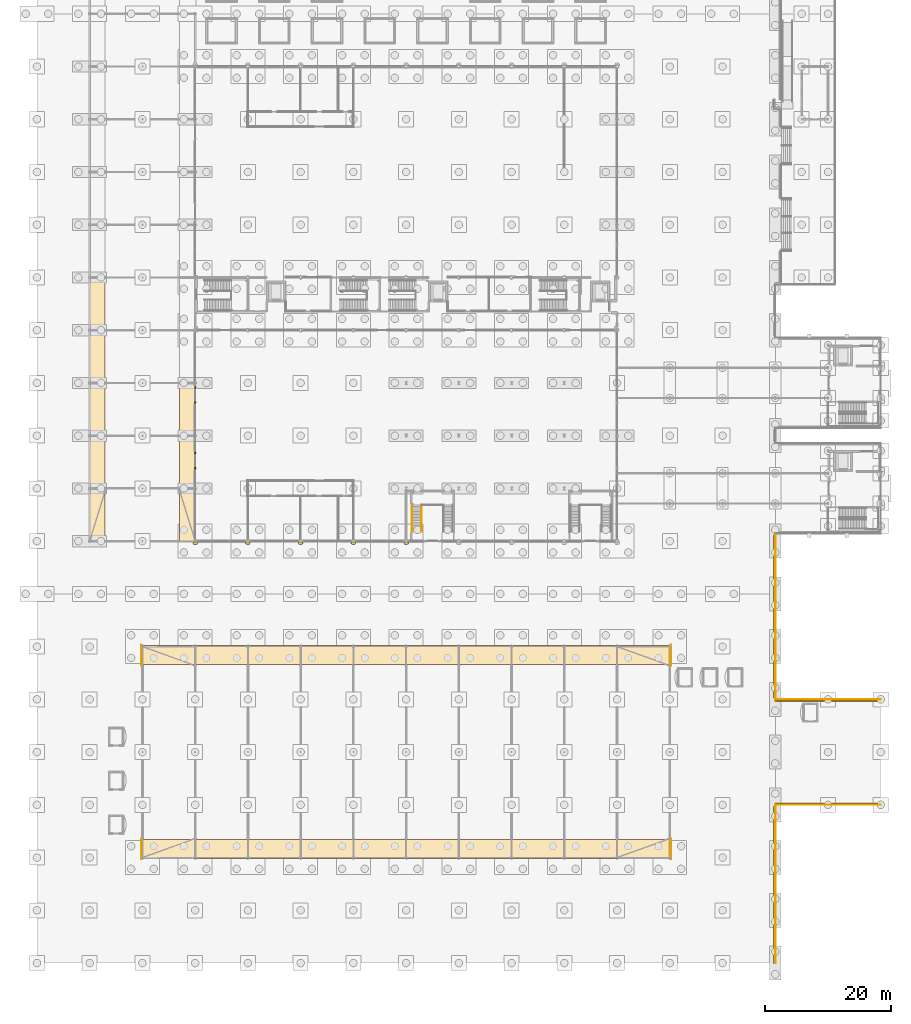
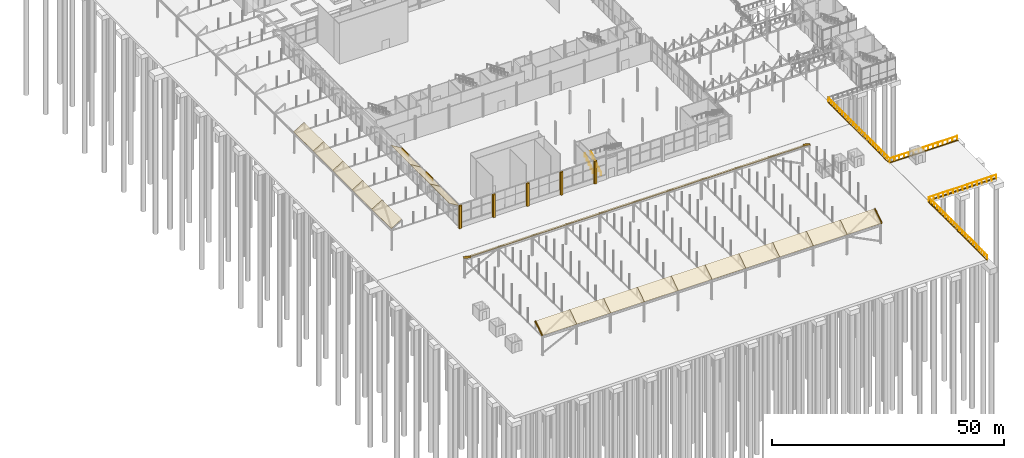
# One storey, part 194 of 212: 45 coverings, 6 railings.
"""IFC4 building model written with IfcOpenShell, lengths in metres."""

from ifc_helpers import new_model, si_unit, direction, frame, origin, origin_2d, place, context, subcontext, project, spatial, polyline, rectangle, circle, outline, extrude, material, layer, layer_set, type_object, element, save


model = new_model("IFC4")

# Units and contexts
model_context = context("Model", 3, precision=1e-05, world=origin(), true_north=direction((0.0, 1.0)))
body_context = subcontext(model_context, "Body", "Model", "MODEL_VIEW")
ifc_project = project(units=[si_unit("LENGTHUNIT", "METRE"), si_unit("AREAUNIT", "SQUARE_METRE"), si_unit("VOLUMEUNIT", "CUBIC_METRE"), si_unit("PLANEANGLEUNIT", "RADIAN"), si_unit("MASSUNIT", "GRAM", prefix="KILO")], contexts=[model_context])

# Site, building, storey
site_placement = place(None, origin())
site = spatial("IfcSite", under=ifc_project, at=site_placement, CompositionType="ELEMENT")
building_placement = place(site_placement, origin())
building = spatial("IfcBuilding", under=site, at=building_placement, Name="Catenary Quay Ferry Terminal", CompositionType="ELEMENT")
storey_placement = place(building_placement, origin())
storey = spatial("IfcBuildingStorey", under=building, at=storey_placement, Name="L00", CompositionType="ELEMENT", Elevation=0.0)

# Coverings
ifc_material_1 = material(Name="Pale glazed ceramic tile")
ifc_layer_1 = layer(ifc_material_1, 0.0400390625)
ifc_layer_set_1 = layer_set([ifc_layer_1], Name="AR1")
covering_type_1 = type_object("IfcCoveringType", Name="AR1", PredefinedType="CLADDING", material=ifc_layer_set_1)
covering_1_placement = place(storey_placement, frame((16.622314453125, 16.800048828125, 5.0), z_axis=(1.0, 0.0, 0.0), x_axis=(0.0, 0.831936388081, 0.554871017613)))
element("IfcCovering", 1, at=covering_1_placement, inside=storey, type_object=covering_type_1, Name="Archivolt band, canopy gable", PredefinedType="CLADDING", context=body_context, shape_type="SweptSolid", body=[
    extrude(outline(polyline([(0.0, 0.0), (3.627761027752788, 2.220446049250313e-16), (3.6551517905300117, 0.4999829425589075), (0.00010265555468169651, 0.4999885452388287), (0.0, 0.0)])), origin(), (0.0, 0.0, -1.0), 0.0400390625),
])
covering_2_placement = place(storey_placement, frame((16.622314453125, 47.382080078125, 7.012939453125), z_axis=(1.0, 0.0, 0.0), x_axis=(0.0, 0.831915666545, -0.554902084837)))
element("IfcCovering", 2, at=covering_2_placement, inside=storey, type_object=covering_type_1, Name="Archivolt band, canopy gable", PredefinedType="CLADDING", context=body_context, shape_type="SweptSolid", body=[
    extrude(outline(polyline([(0.0, 0.0), (3.627557920812455, -2.220446049250313e-16), (3.6276396982295283, 0.5001240151984621), (-0.02740943398799392, 0.49998191933692954), (0.0, 0.0)])), origin(), (0.0, 0.0, -1.0), 0.0400390625),
])
covering_3_placement = place(storey_placement, frame((100.977783203125, 16.522705078125, 5.416015625), z_axis=(-1.0, 0.0, 0.0), x_axis=(0.0, 0.83193723862, 0.55486974237)))
element("IfcCovering", 3, at=covering_3_placement, inside=storey, type_object=covering_type_1, Name="Archivolt band, canopy gable", PredefinedType="CLADDING", context=body_context, shape_type="SweptSolid", body=[
    extrude(outline(polyline([(0.0, 0.0), (3.655049134979624, -2.220446049250313e-16), (3.6276591386064645, 0.4999829845445345), (-0.0001018891420617174, 0.4999885453955979), (0.0, 0.0)])), origin(), (0.0, 0.0, -1.0), 0.0400390625),
])
covering_4_placement = place(storey_placement, frame((100.977783203125, 47.63671875, 7.444091796875), z_axis=(-1.0, 0.0, 0.0), x_axis=(0.0, 0.83193723862, -0.55486974237)))
element("IfcCovering", 4, at=covering_4_placement, inside=storey, type_object=covering_type_1, Name="Archivolt band, canopy gable", PredefinedType="CLADDING", context=body_context, shape_type="SweptSolid", body=[
    extrude(outline(polyline([(0.0, 0.0), (3.655049134979624, 2.220446049250313e-16), (3.6549479144442882, 0.5001240116412937), (0.027389996373159503, 0.4999829845445347), (0.0, 0.0)])), origin(), (0.0, 0.0, -1.0), 0.0400390625),
])
ifc_material_2 = material(Name="Ceramic tile")
ifc_layer_2 = layer(ifc_material_2, 0.0400390625)
ifc_layer_set_2 = layer_set([ifc_layer_2], Name="CL2")
covering_type_2 = type_object("IfcCoveringType", Name="CL2", PredefinedType="CLADDING", material=ifc_layer_set_2)
covering_5_placement = place(storey_placement, origin())
element("IfcCovering", 5, at=covering_5_placement, inside=storey, type_object=covering_type_2, Name="Ceramic pier casing", PredefinedType="CLADDING", context=body_context, shape_type="SweptSolid", body=[
    extrude(outline(polyline([(24.845947265625, 67.0458984375), (24.845947265625, 66.76611328125), (24.946044921875, 66.76611328125), (24.946044921875, 66.64599609375), (25.4541015625, 66.64599609375), (25.4541015625, 66.76611328125), (25.553955078125, 66.76611328125), (25.553955078125, 67.0458984375), (24.845947265625, 67.0458984375)])), origin(), (0.0, 0.0, 1.0), 6.0),
])
covering_6_placement = place(storey_placement, origin())
element("IfcCovering", 6, at=covering_6_placement, inside=storey, type_object=covering_type_2, Name="Ceramic pier casing", PredefinedType="CLADDING", context=body_context, shape_type="SweptSolid", body=[
    extrude(outline(polyline([(33.24609375, 67.0458984375), (33.24609375, 66.76611328125), (33.345947265625, 66.76611328125), (33.345947265625, 66.64599609375), (33.85400390625, 66.64599609375), (33.85400390625, 66.76611328125), (33.9541015625, 66.76611328125), (33.9541015625, 67.0458984375), (33.24609375, 67.0458984375)])), origin(), (0.0, 0.0, 1.0), 6.0),
])
covering_7_placement = place(storey_placement, origin())
element("IfcCovering", 7, at=covering_7_placement, inside=storey, type_object=covering_type_2, Name="Ceramic pier casing", PredefinedType="CLADDING", context=body_context, shape_type="SweptSolid", body=[
    extrude(outline(polyline([(41.64599609375, 67.0458984375), (41.64599609375, 66.76611328125), (41.74609375, 66.76611328125), (41.74609375, 66.64599609375), (42.25390625, 66.64599609375), (42.25390625, 66.76611328125), (42.35400390625, 66.76611328125), (42.35400390625, 67.0458984375), (41.64599609375, 67.0458984375)])), origin(), (0.0, 0.0, 1.0), 6.0),
])
covering_8_placement = place(storey_placement, origin())
element("IfcCovering", 8, at=covering_8_placement, inside=storey, type_object=covering_type_2, Name="Ceramic pier casing", PredefinedType="CLADDING", context=body_context, shape_type="SweptSolid", body=[
    extrude(outline(polyline([(50.0458984375, 67.0458984375), (50.0458984375, 66.76611328125), (50.14599609375, 66.76611328125), (50.14599609375, 66.64599609375), (50.654052734375, 66.64599609375), (50.654052734375, 66.76611328125), (50.75390625, 66.76611328125), (50.75390625, 67.0458984375), (50.0458984375, 67.0458984375)])), origin(), (0.0, 0.0, 1.0), 6.0),
])
covering_9_placement = place(storey_placement, origin())
element("IfcCovering", 9, at=covering_9_placement, inside=storey, type_object=covering_type_2, Name="Ceramic pier casing", PredefinedType="CLADDING", context=body_context, shape_type="SweptSolid", body=[
    extrude(outline(polyline([(58.446044921875, 67.0458984375), (58.446044921875, 66.76611328125), (58.5458984375, 66.76611328125), (58.5458984375, 66.64599609375), (59.053955078125, 66.64599609375), (59.053955078125, 66.76611328125), (59.154052734375, 66.76611328125), (59.154052734375, 67.0458984375), (58.446044921875, 67.0458984375)])), origin(), (0.0, 0.0, 1.0), 6.0),
])
ifc_material_3 = material(Name="Ceramic tile")
ifc_layer_3 = layer(ifc_material_3, 0.034912109375)
ifc_layer_set_3 = layer_set([ifc_layer_3], Name="CL5")
covering_type_3 = type_object("IfcCoveringType", Name="CL5", PredefinedType="CLADDING", material=ifc_layer_set_3)
for number, where, z_axis, x_axis, name in (
    (10, (25.199951171875, 80.0, 5.32666015625), (0.0, 0.0, 1.0), (1.0, 0.0, 0.0), "Slot gable arrivals hall cladding CL5"),
    (11, (25.199951171875, 90.449951171875, 5.32666015625), (0.0, 0.0, 1.0), (1.0, 0.0, 0.0), "Slot gable arrivals hall cladding CL5"),
):
    element("IfcCovering", number, at=place(storey_placement, frame(where, z_axis=z_axis, x_axis=x_axis)), inside=storey, type_object=covering_type_3, Name=name, PredefinedType="CLADDING", context=body_context, shape_type="SweptSolid", body=[
        extrude(rectangle(XDim=0.199951171875, YDim=3.110107421875, at=origin_2d()), origin(), (0.0, 0.0, 1.0), 0.67333984375),
    ])

# Railings
ifc_material_4 = material(Name="Galvanised steel", Category="steel")
railing_type_1 = type_object("IfcRailingType", Name="GQ1", PredefinedType="GUARDRAIL", material=ifc_material_4)
railing_1_placement = place(storey_placement, frame((117.60009765625, 0.0, 0.0)))
element("IfcRailing", 12, at=railing_1_placement, inside=storey, type_object=railing_type_1, Name="RIVER EDGE OF THE QUAY DECK", PredefinedType="GUARDRAIL", context=body_context, shape_type="SweptSolid", body=[
    extrude(circle(Radius=0.02392578125, at=origin_2d()), frame((0.0, 0.0, 1.076171875), z_axis=(0.0, 1.0, 0.0), x_axis=(-1.0, 0.0, 0.0)), (0.0, 0.0, 1.0), 25.199951171875),
    extrude(circle(Radius=0.02099609375, at=origin_2d()), origin(), (0.0, 0.0, 1.0), 1.052001953125),
    extrude(circle(Radius=0.02099609375, at=origin_2d()), frame((0.0, 1.199951171875, 0.0)), (0.0, 0.0, 1.0), 1.052001953125),
    extrude(circle(Radius=0.02099609375, at=origin_2d()), frame((0.0, 2.39990234375, 0.0)), (0.0, 0.0, 1.0), 1.052001953125),
    extrude(circle(Radius=0.02099609375, at=origin_2d()), frame((0.0, 3.60009765625, 0.0)), (0.0, 0.0, 1.0), 1.052001953125),
    extrude(circle(Radius=0.02099609375, at=origin_2d()), frame((0.0, 4.800048828125, 0.0)), (0.0, 0.0, 1.0), 1.052001953125),
    extrude(circle(Radius=0.02099609375, at=origin_2d()), frame((0.0, 6.0, 0.0)), (0.0, 0.0, 1.0), 1.052001953125),
    extrude(circle(Radius=0.02099609375, at=origin_2d()), frame((0.0, 7.199951171875, 0.0)), (0.0, 0.0, 1.0), 1.052001953125),
    extrude(circle(Radius=0.02099609375, at=origin_2d()), frame((0.0, 8.39990234375, 0.0)), (0.0, 0.0, 1.0), 1.052001953125),
    extrude(circle(Radius=0.02099609375, at=origin_2d()), frame((0.0, 9.60009765625, 0.0)), (0.0, 0.0, 1.0), 1.052001953125),
    extrude(circle(Radius=0.02099609375, at=origin_2d()), frame((0.0, 10.800048828125, 0.0)), (0.0, 0.0, 1.0), 1.052001953125),
    extrude(circle(Radius=0.02099609375, at=origin_2d()), frame((0.0, 12.0, 0.0)), (0.0, 0.0, 1.0), 1.052001953125),
    extrude(circle(Radius=0.02099609375, at=origin_2d()), frame((0.0, 13.199951171875, 0.0)), (0.0, 0.0, 1.0), 1.052001953125),
    extrude(circle(Radius=0.02099609375, at=origin_2d()), frame((0.0, 14.39990234375, 0.0)), (0.0, 0.0, 1.0), 1.052001953125),
    extrude(circle(Radius=0.02099609375, at=origin_2d()), frame((0.0, 15.599853515625, 0.0)), (0.0, 0.0, 1.0), 1.052001953125),
    extrude(circle(Radius=0.02099609375, at=origin_2d()), frame((0.0, 16.800048828125, 0.0)), (0.0, 0.0, 1.0), 1.052001953125),
    extrude(circle(Radius=0.02099609375, at=origin_2d()), frame((0.0, 18.0, 0.0)), (0.0, 0.0, 1.0), 1.052001953125),
    extrude(circle(Radius=0.02099609375, at=origin_2d()), frame((0.0, 19.199951171875, 0.0)), (0.0, 0.0, 1.0), 1.052001953125),
    extrude(circle(Radius=0.02099609375, at=origin_2d()), frame((0.0, 20.39990234375, 0.0)), (0.0, 0.0, 1.0), 1.052001953125),
    extrude(circle(Radius=0.02099609375, at=origin_2d()), frame((0.0, 21.599853515625, 0.0)), (0.0, 0.0, 1.0), 1.052001953125),
    extrude(circle(Radius=0.02099609375, at=origin_2d()), frame((0.0, 22.800048828125, 0.0)), (0.0, 0.0, 1.0), 1.052001953125),
    extrude(circle(Radius=0.02099609375, at=origin_2d()), frame((0.0, 24.0, 0.0)), (0.0, 0.0, 1.0), 1.052001953125),
    extrude(circle(Radius=0.02099609375, at=origin_2d()), frame((0.0, 25.199951171875, 0.0)), (0.0, 0.0, 1.0), 1.052001953125),
])
railing_2_placement = place(storey_placement, frame((117.60009765625, 42.0, 0.0)))
element("IfcRailing", 13, at=railing_2_placement, inside=storey, type_object=railing_type_1, Name="RIVER EDGE OF THE QUAY DECK", PredefinedType="GUARDRAIL", context=body_context, shape_type="SweptSolid", body=[
    extrude(circle(Radius=0.02392578125, at=origin_2d()), frame((0.0, 0.0, 1.076171875), z_axis=(0.0, 1.0, 0.0), x_axis=(-1.0, 0.0, 0.0)), (0.0, 0.0, 1.0), 26.39990234375),
    extrude(circle(Radius=0.02099609375, at=origin_2d()), origin(), (0.0, 0.0, 1.0), 1.052001953125),
    extrude(circle(Radius=0.02099609375, at=origin_2d()), frame((0.0, 1.199951171875, 0.0)), (0.0, 0.0, 1.0), 1.052001953125),
    extrude(circle(Radius=0.02099609375, at=origin_2d()), frame((0.0, 2.39990234375, 0.0)), (0.0, 0.0, 1.0), 1.052001953125),
    extrude(circle(Radius=0.02099609375, at=origin_2d()), frame((0.0, 3.60009765625, 0.0)), (0.0, 0.0, 1.0), 1.052001953125),
    extrude(circle(Radius=0.02099609375, at=origin_2d()), frame((0.0, 4.800048828125, 0.0)), (0.0, 0.0, 1.0), 1.052001953125),
    extrude(circle(Radius=0.02099609375, at=origin_2d()), frame((0.0, 6.0, 0.0)), (0.0, 0.0, 1.0), 1.052001953125),
    extrude(circle(Radius=0.02099609375, at=origin_2d()), frame((0.0, 7.199951171875, 0.0)), (0.0, 0.0, 1.0), 1.052001953125),
    extrude(circle(Radius=0.02099609375, at=origin_2d()), frame((0.0, 8.39990234375, 0.0)), (0.0, 0.0, 1.0), 1.052001953125),
    extrude(circle(Radius=0.02099609375, at=origin_2d()), frame((0.0, 9.599853515625, 0.0)), (0.0, 0.0, 1.0), 1.052001953125),
    extrude(circle(Radius=0.02099609375, at=origin_2d()), frame((0.0, 10.800048828125, 0.0)), (0.0, 0.0, 1.0), 1.052001953125),
    extrude(circle(Radius=0.02099609375, at=origin_2d()), frame((0.0, 12.0, 0.0)), (0.0, 0.0, 1.0), 1.052001953125),
    extrude(circle(Radius=0.02099609375, at=origin_2d()), frame((0.0, 13.199951171875, 0.0)), (0.0, 0.0, 1.0), 1.052001953125),
    extrude(circle(Radius=0.02099609375, at=origin_2d()), frame((0.0, 14.39990234375, 0.0)), (0.0, 0.0, 1.0), 1.052001953125),
    extrude(circle(Radius=0.02099609375, at=origin_2d()), frame((0.0, 15.599853515625, 0.0)), (0.0, 0.0, 1.0), 1.052001953125),
    extrude(circle(Radius=0.02099609375, at=origin_2d()), frame((0.0, 16.800048828125, 0.0)), (0.0, 0.0, 1.0), 1.052001953125),
    extrude(circle(Radius=0.02099609375, at=origin_2d()), frame((0.0, 18.0, 0.0)), (0.0, 0.0, 1.0), 1.052001953125),
    extrude(circle(Radius=0.02099609375, at=origin_2d()), frame((0.0, 19.199951171875, 0.0)), (0.0, 0.0, 1.0), 1.052001953125),
    extrude(circle(Radius=0.02099609375, at=origin_2d()), frame((0.0, 20.39990234375, 0.0)), (0.0, 0.0, 1.0), 1.052001953125),
    extrude(circle(Radius=0.02099609375, at=origin_2d()), frame((0.0, 21.599853515625, 0.0)), (0.0, 0.0, 1.0), 1.052001953125),
    extrude(circle(Radius=0.02099609375, at=origin_2d()), frame((0.0, 22.7998046875, 0.0)), (0.0, 0.0, 1.0), 1.052001953125),
    extrude(circle(Radius=0.02099609375, at=origin_2d()), frame((0.0, 24.0, 0.0)), (0.0, 0.0, 1.0), 1.052001953125),
    extrude(circle(Radius=0.02099609375, at=origin_2d()), frame((0.0, 25.199951171875, 0.0)), (0.0, 0.0, 1.0), 1.052001953125),
    extrude(circle(Radius=0.02099609375, at=origin_2d()), frame((0.0, 26.39990234375, 0.0)), (0.0, 0.0, 1.0), 1.052001953125),
])
railing_3_placement = place(storey_placement, frame((117.60009765625, 42.0, 0.0)))
element("IfcRailing", 14, at=railing_3_placement, inside=storey, type_object=railing_type_1, Name="NORTH EDGE OF THE RO-RO HEAD", PredefinedType="GUARDRAIL", context=body_context, shape_type="SweptSolid", body=[
    extrude(circle(Radius=0.02392578125, at=origin_2d()), frame((0.0, 0.0, 1.076171875), z_axis=(1.0, 0.0, 0.0), x_axis=(0.0, 1.0, 0.0)), (0.0, 0.0, 1.0), 16.7998046875),
    extrude(circle(Radius=0.02099609375, at=origin_2d()), origin(), (0.0, 0.0, 1.0), 1.052001953125),
    extrude(circle(Radius=0.02099609375, at=origin_2d()), frame((1.199951171875, 0.0, 0.0)), (0.0, 0.0, 1.0), 1.052001953125),
    extrude(circle(Radius=0.02099609375, at=origin_2d()), frame((2.39990234375, 0.0, 0.0)), (0.0, 0.0, 1.0), 1.052001953125),
    extrude(circle(Radius=0.02099609375, at=origin_2d()), frame((3.599853515625, 0.0, 0.0)), (0.0, 0.0, 1.0), 1.052001953125),
    extrude(circle(Radius=0.02099609375, at=origin_2d()), frame((4.800048828125, 0.0, 0.0)), (0.0, 0.0, 1.0), 1.052001953125),
    extrude(circle(Radius=0.02099609375, at=origin_2d()), frame((6.0, 0.0, 0.0)), (0.0, 0.0, 1.0), 1.052001953125),
    extrude(circle(Radius=0.02099609375, at=origin_2d()), frame((7.199951171875, 0.0, 0.0)), (0.0, 0.0, 1.0), 1.052001953125),
    extrude(circle(Radius=0.02099609375, at=origin_2d()), frame((8.39990234375, 0.0, 0.0)), (0.0, 0.0, 1.0), 1.052001953125),
    extrude(circle(Radius=0.02099609375, at=origin_2d()), frame((9.599853515625, 0.0, 0.0)), (0.0, 0.0, 1.0), 1.052001953125),
    extrude(circle(Radius=0.02099609375, at=origin_2d()), frame((10.7998046875, 0.0, 0.0)), (0.0, 0.0, 1.0), 1.052001953125),
    extrude(circle(Radius=0.02099609375, at=origin_2d()), frame((11.999755859375, 0.0, 0.0)), (0.0, 0.0, 1.0), 1.052001953125),
    extrude(circle(Radius=0.02099609375, at=origin_2d()), frame((13.199951171875, 0.0, 0.0)), (0.0, 0.0, 1.0), 1.052001953125),
    extrude(circle(Radius=0.02099609375, at=origin_2d()), frame((14.39990234375, 0.0, 0.0)), (0.0, 0.0, 1.0), 1.052001953125),
    extrude(circle(Radius=0.02099609375, at=origin_2d()), frame((15.599853515625, 0.0, 0.0)), (0.0, 0.0, 1.0), 1.052001953125),
    extrude(circle(Radius=0.02099609375, at=origin_2d()), frame((16.7998046875, 0.0, 0.0)), (0.0, 0.0, 1.0), 1.052001953125),
])
railing_4_placement = place(storey_placement, frame((117.60009765625, 25.199951171875, 0.0)))
element("IfcRailing", 15, at=railing_4_placement, inside=storey, type_object=railing_type_1, Name="SOUTH EDGE OF THE RO-RO HEAD", PredefinedType="GUARDRAIL", context=body_context, shape_type="SweptSolid", body=[
    extrude(circle(Radius=0.02392578125, at=origin_2d()), frame((0.0, 0.0, 1.076171875), z_axis=(1.0, 0.0, 0.0), x_axis=(0.0, 1.0, 0.0)), (0.0, 0.0, 1.0), 16.7998046875),
    extrude(circle(Radius=0.02099609375, at=origin_2d()), origin(), (0.0, 0.0, 1.0), 1.052001953125),
    extrude(circle(Radius=0.02099609375, at=origin_2d()), frame((1.199951171875, 0.0, 0.0)), (0.0, 0.0, 1.0), 1.052001953125),
    extrude(circle(Radius=0.02099609375, at=origin_2d()), frame((2.39990234375, 0.0, 0.0)), (0.0, 0.0, 1.0), 1.052001953125),
    extrude(circle(Radius=0.02099609375, at=origin_2d()), frame((3.599853515625, 0.0, 0.0)), (0.0, 0.0, 1.0), 1.052001953125),
    extrude(circle(Radius=0.02099609375, at=origin_2d()), frame((4.800048828125, 0.0, 0.0)), (0.0, 0.0, 1.0), 1.052001953125),
    extrude(circle(Radius=0.02099609375, at=origin_2d()), frame((6.0, 0.0, 0.0)), (0.0, 0.0, 1.0), 1.052001953125),
    extrude(circle(Radius=0.02099609375, at=origin_2d()), frame((7.199951171875, 0.0, 0.0)), (0.0, 0.0, 1.0), 1.052001953125),
    extrude(circle(Radius=0.02099609375, at=origin_2d()), frame((8.39990234375, 0.0, 0.0)), (0.0, 0.0, 1.0), 1.052001953125),
    extrude(circle(Radius=0.02099609375, at=origin_2d()), frame((9.599853515625, 0.0, 0.0)), (0.0, 0.0, 1.0), 1.052001953125),
    extrude(circle(Radius=0.02099609375, at=origin_2d()), frame((10.7998046875, 0.0, 0.0)), (0.0, 0.0, 1.0), 1.052001953125),
    extrude(circle(Radius=0.02099609375, at=origin_2d()), frame((11.999755859375, 0.0, 0.0)), (0.0, 0.0, 1.0), 1.052001953125),
    extrude(circle(Radius=0.02099609375, at=origin_2d()), frame((13.199951171875, 0.0, 0.0)), (0.0, 0.0, 1.0), 1.052001953125),
    extrude(circle(Radius=0.02099609375, at=origin_2d()), frame((14.39990234375, 0.0, 0.0)), (0.0, 0.0, 1.0), 1.052001953125),
    extrude(circle(Radius=0.02099609375, at=origin_2d()), frame((15.599853515625, 0.0, 0.0)), (0.0, 0.0, 1.0), 1.052001953125),
    extrude(circle(Radius=0.02099609375, at=origin_2d()), frame((16.7998046875, 0.0, 0.0)), (0.0, 0.0, 1.0), 1.052001953125),
])
ifc_material_5 = material(Name="Stainless steel", Category="steel")
railing_type_2 = type_object("IfcRailingType", Name="HR1", PredefinedType="HANDRAIL", material=ifc_material_5)
for number, where, name in (
    (16, (59.760009765625, 68.699951171875, 0.166748046875), "TS6 F1A handrail HR325"),
    (17, (61.239990234375, 68.699951171875, 0.166748046875), "TS6 F1B handrail HR326"),
):
    element("IfcRailing", number, at=place(storey_placement, frame(where)), inside=storey, type_object=railing_type_2, Name=name, PredefinedType="HANDRAIL", context=body_context, shape_type="SweptSolid", body=[
        extrude(circle(Radius=0.02392578125, at=origin_2d()), frame((0.0, 0.0, 0.8759765625), z_axis=(0.0, 0.832057647715, 0.554689166001), x_axis=(-1.0, 0.0, 0.0)), (0.0, 0.0, 1.0), 5.10791015625),
        extrude(circle(Radius=0.02099609375, at=origin_2d()), origin(), (0.0, 0.0, 1.0), 0.851806640625),
        extrude(circle(Radius=0.02099609375, at=origin_2d()), frame((0.0, 0.85009765625, 0.566650390625)), (0.0, 0.0, 1.0), 0.851806640625),
        extrude(circle(Radius=0.02099609375, at=origin_2d()), frame((0.0, 1.699951171875, 1.13330078125)), (0.0, 0.0, 1.0), 0.851806640625),
        extrude(circle(Radius=0.02099609375, at=origin_2d()), frame((0.0, 2.550048828125, 1.699951171875)), (0.0, 0.0, 1.0), 0.851806640625),
        extrude(circle(Radius=0.02099609375, at=origin_2d()), frame((0.0, 3.39990234375, 2.2666015625)), (0.0, 0.0, 1.0), 0.851806640625),
        extrude(circle(Radius=0.02099609375, at=origin_2d()), frame((0.0, 4.25, 2.833251953125)), (0.0, 0.0, 1.0), 0.851806640625),
    ])

# Coverings
ifc_material_6 = material(Name="Precast concrete C35/45", Category="concrete")
ifc_layer_4 = layer(ifc_material_6, 0.14990234375)
ifc_layer_set_4 = layer_set([ifc_layer_4], Name="KB1")
covering_type_4 = type_object("IfcCoveringType", Name="KB1", PredefinedType="FLOORING", material=ifc_layer_set_4)
covering_10_placement = place(storey_placement, frame((117.429931640625, 12.4599609375, 0.0), z_axis=(0.0, 0.0, 1.0), x_axis=(1.0, 0.0, 0.0)))
element("IfcCovering", 18, at=covering_10_placement, inside=storey, type_object=covering_type_4, Name="Edge kerb upstand", PredefinedType="FLOORING", context=body_context, shape_type="SweptSolid", body=[
    extrude(rectangle(XDim=0.219970703125, YDim=24.919921875, at=origin_2d()), origin(), (0.0, 0.0, 1.0), 0.14990234375),
])
covering_11_placement = place(storey_placement, frame((117.429931640625, 55.199951171875, 0.0), z_axis=(0.0, 0.0, 1.0), x_axis=(1.0, 0.0, 0.0)))
element("IfcCovering", 19, at=covering_11_placement, inside=storey, type_object=covering_type_4, Name="Edge kerb upstand", PredefinedType="FLOORING", context=body_context, shape_type="SweptSolid", body=[
    extrude(rectangle(XDim=0.219970703125, YDim=25.840087890625, at=origin_2d()), origin(), (0.0, 0.0, 1.0), 0.14990234375),
])
for number, where, z_axis, x_axis, name in (
    (20, (126.0, 41.830078125, 0.0), (0.0, 0.0, 1.0), (1.0, 0.0, 0.0), "Edge kerb upstand"),
    (21, (126.0, 25.3701171875, 0.0), (0.0, 0.0, 1.0), (1.0, 0.0, 0.0), "Edge kerb upstand"),
):
    element("IfcCovering", number, at=place(storey_placement, frame(where, z_axis=z_axis, x_axis=x_axis)), inside=storey, type_object=covering_type_4, Name=name, PredefinedType="FLOORING", context=body_context, shape_type="SweptSolid", body=[
        extrude(rectangle(XDim=16.800048828125, YDim=0.219970703125, at=origin_2d()), origin(), (0.0, 0.0, 1.0), 0.14990234375),
    ])
ifc_material_7 = material(Name="Precast concrete C35/45", Category="concrete")
ifc_layer_5 = layer(ifc_material_7, 0.0400390625)
ifc_layer_set_5 = layer_set([ifc_layer_5], Name="QF1")
covering_type_5 = type_object("IfcCoveringType", Name="QF1", PredefinedType="CLADDING", material=ifc_layer_set_5)
covering_12_placement = place(storey_placement, frame((117.6201171875, 12.60009765625, -0.5498046875), z_axis=(0.0, 0.0, 1.0), x_axis=(1.0, 0.0, 0.0)))
element("IfcCovering", 22, at=covering_12_placement, inside=storey, type_object=covering_type_5, Name="Precast fascia, quay deck edge", PredefinedType="CLADDING", context=body_context, shape_type="SweptSolid", body=[
    extrude(rectangle(XDim=0.0400390625, YDim=25.199951171875, at=origin_2d()), origin(), (0.0, 0.0, 1.0), 0.550048828125),
])
covering_13_placement = place(storey_placement, frame((117.6201171875, 55.199951171875, -0.5498046875), z_axis=(0.0, 0.0, 1.0), x_axis=(1.0, 0.0, 0.0)))
element("IfcCovering", 23, at=covering_13_placement, inside=storey, type_object=covering_type_5, Name="Precast fascia, quay deck edge", PredefinedType="CLADDING", context=body_context, shape_type="SweptSolid", body=[
    extrude(rectangle(XDim=0.0400390625, YDim=26.39990234375, at=origin_2d()), origin(), (0.0, 0.0, 1.0), 0.550048828125),
])
ifc_material_8 = material(Name="Laminated glass", Category="glass")
ifc_layer_6 = layer(ifc_material_8, 0.030029296875)
ifc_layer_set_6 = layer_set([ifc_layer_6], Name="RF2")
covering_type_6 = type_object("IfcCoveringType", Name="RF2", PredefinedType="ROOFING", material=ifc_layer_set_6)
for number, where, z_axis, x_axis, name in (
    (24, (16.800048828125, 16.634765625, 5.247802734375), (0.0, -0.554885718127, 0.83192658319), (1.0, 0.0, 0.0), "Vehicle Deck canopy roof"),
    (25, (16.800048828125, 47.53369140625, 7.269775390625), (0.0, 0.554885718127, 0.83192658319), (1.0, 0.0, 0.0), "Vehicle Deck canopy roof"),
):
    element("IfcCovering", number, at=place(storey_placement, frame(where, z_axis=z_axis, x_axis=x_axis)), inside=storey, type_object=covering_type_6, Name=name, PredefinedType="ROOFING", context=body_context, shape_type="SweptSolid", body=[
        extrude(outline(polyline([(0.0, 0.0), (8.39990234375, 0.0), (8.39990234375, 3.643944311768003), (0.0, 3.643944311768003), (0.0, 0.0)])), origin(), (0.0, 0.0, -1.0), 0.0361328125),
    ])
for number, where, z_axis, x_axis, name in (
    (26, (25.199951171875, 16.634765625, 5.247802734375), (0.0, -0.554885718127, 0.83192658319), (1.0, 0.0, 0.0), "Vehicle Deck canopy roof"),
    (27, (25.199951171875, 47.53369140625, 7.269775390625), (0.0, 0.554885718127, 0.83192658319), (1.0, 0.0, 0.0), "Vehicle Deck canopy roof"),
):
    element("IfcCovering", number, at=place(storey_placement, frame(where, z_axis=z_axis, x_axis=x_axis)), inside=storey, type_object=covering_type_6, Name=name, PredefinedType="ROOFING", context=body_context, shape_type="SweptSolid", body=[
        extrude(outline(polyline([(0.0, 0.0), (8.400146484375, 0.0), (8.400146484375, 3.643944311768003), (0.0, 3.643944311768003), (0.0, 0.0)])), origin(), (0.0, 0.0, -1.0), 0.0361328125),
    ])
for number, where, z_axis, x_axis, name in (
    (28, (33.60009765625, 16.634765625, 5.247802734375), (0.0, -0.554885718127, 0.83192658319), (1.0, 0.0, 0.0), "Vehicle Deck canopy roof"),
    (29, (33.60009765625, 47.53369140625, 7.269775390625), (0.0, 0.554885718127, 0.83192658319), (1.0, 0.0, 0.0), "Vehicle Deck canopy roof"),
    (30, (42.0, 16.634765625, 5.247802734375), (0.0, -0.554885718127, 0.83192658319), (1.0, 0.0, 0.0), "Vehicle Deck canopy roof"),
    (31, (42.0, 47.53369140625, 7.269775390625), (0.0, 0.554885718127, 0.83192658319), (1.0, 0.0, 0.0), "Vehicle Deck canopy roof"),
):
    element("IfcCovering", number, at=place(storey_placement, frame(where, z_axis=z_axis, x_axis=x_axis)), inside=storey, type_object=covering_type_6, Name=name, PredefinedType="ROOFING", context=body_context, shape_type="SweptSolid", body=[
        extrude(outline(polyline([(0.0, 0.0), (8.39990234375, 0.0), (8.39990234375, 3.643944311768003), (0.0, 3.643944311768003), (0.0, 0.0)])), origin(), (0.0, 0.0, -1.0), 0.0361328125),
    ])
for number, where, z_axis, x_axis, name in (
    (32, (50.39990234375, 16.634765625, 5.247802734375), (0.0, -0.554885718127, 0.83192658319), (1.0, 0.0, 0.0), "Vehicle Deck canopy roof"),
    (33, (50.39990234375, 47.53369140625, 7.269775390625), (0.0, 0.554885718127, 0.83192658319), (1.0, 0.0, 0.0), "Vehicle Deck canopy roof"),
):
    element("IfcCovering", number, at=place(storey_placement, frame(where, z_axis=z_axis, x_axis=x_axis)), inside=storey, type_object=covering_type_6, Name=name, PredefinedType="ROOFING", context=body_context, shape_type="SweptSolid", body=[
        extrude(outline(polyline([(0.0, 0.0), (8.400146484375, 0.0), (8.400146484375, 3.643944311768003), (0.0, 3.643944311768003), (0.0, 0.0)])), origin(), (0.0, 0.0, -1.0), 0.0361328125),
    ])
for number, where, z_axis, x_axis, name in (
    (34, (58.800048828125, 16.634765625, 5.247802734375), (0.0, -0.554885718127, 0.83192658319), (1.0, 0.0, 0.0), "Vehicle Deck canopy roof"),
    (35, (58.800048828125, 47.53369140625, 7.269775390625), (0.0, 0.554885718127, 0.83192658319), (1.0, 0.0, 0.0), "Vehicle Deck canopy roof"),
):
    element("IfcCovering", number, at=place(storey_placement, frame(where, z_axis=z_axis, x_axis=x_axis)), inside=storey, type_object=covering_type_6, Name=name, PredefinedType="ROOFING", context=body_context, shape_type="SweptSolid", body=[
        extrude(outline(polyline([(0.0, 0.0), (8.39990234375, 0.0), (8.39990234375, 3.643944311768003), (0.0, 3.643944311768003), (0.0, 0.0)])), origin(), (0.0, 0.0, -1.0), 0.0361328125),
    ])
for number, where, z_axis, x_axis, name in (
    (36, (67.199951171875, 16.634765625, 5.247802734375), (0.0, -0.554885718127, 0.83192658319), (1.0, 0.0, 0.0), "Vehicle Deck canopy roof"),
    (37, (67.199951171875, 47.53369140625, 7.269775390625), (0.0, 0.554885718127, 0.83192658319), (1.0, 0.0, 0.0), "Vehicle Deck canopy roof"),
):
    element("IfcCovering", number, at=place(storey_placement, frame(where, z_axis=z_axis, x_axis=x_axis)), inside=storey, type_object=covering_type_6, Name=name, PredefinedType="ROOFING", context=body_context, shape_type="SweptSolid", body=[
        extrude(outline(polyline([(0.0, 0.0), (8.400146484375, 0.0), (8.400146484375, 3.643944311768003), (0.0, 3.643944311768003), (0.0, 0.0)])), origin(), (0.0, 0.0, -1.0), 0.0361328125),
    ])
for number, where, z_axis, x_axis, name in (
    (38, (75.60009765625, 16.634765625, 5.247802734375), (0.0, -0.554885718127, 0.83192658319), (1.0, 0.0, 0.0), "Vehicle Deck canopy roof"),
    (39, (75.60009765625, 47.53369140625, 7.269775390625), (0.0, 0.554885718127, 0.83192658319), (1.0, 0.0, 0.0), "Vehicle Deck canopy roof"),
    (40, (84.0, 16.634765625, 5.247802734375), (0.0, -0.554885718127, 0.83192658319), (1.0, 0.0, 0.0), "Vehicle Deck canopy roof"),
    (41, (84.0, 47.53369140625, 7.269775390625), (0.0, 0.554885718127, 0.83192658319), (1.0, 0.0, 0.0), "Vehicle Deck canopy roof"),
):
    element("IfcCovering", number, at=place(storey_placement, frame(where, z_axis=z_axis, x_axis=x_axis)), inside=storey, type_object=covering_type_6, Name=name, PredefinedType="ROOFING", context=body_context, shape_type="SweptSolid", body=[
        extrude(outline(polyline([(0.0, 0.0), (8.39990234375, 0.0), (8.39990234375, 3.643944311768003), (0.0, 3.643944311768003), (0.0, 0.0)])), origin(), (0.0, 0.0, -1.0), 0.0361328125),
    ])
for number, where, z_axis, x_axis, name in (
    (42, (92.39990234375, 16.634765625, 5.247802734375), (0.0, -0.554885718127, 0.83192658319), (1.0, 0.0, 0.0), "Vehicle Deck canopy roof"),
    (43, (92.39990234375, 47.53369140625, 7.269775390625), (0.0, 0.554885718127, 0.83192658319), (1.0, 0.0, 0.0), "Vehicle Deck canopy roof"),
):
    element("IfcCovering", number, at=place(storey_placement, frame(where, z_axis=z_axis, x_axis=x_axis)), inside=storey, type_object=covering_type_6, Name=name, PredefinedType="ROOFING", context=body_context, shape_type="SweptSolid", body=[
        extrude(outline(polyline([(0.0, 0.0), (8.400146484375, 0.0), (8.400146484375, 3.643944311768003), (0.0, 3.643944311768003), (0.0, 0.0)])), origin(), (0.0, 0.0, -1.0), 0.0361328125),
    ])
for number, where, z_axis, x_axis, name in (
    (44, (8.265380859375, 67.199951171875, 5.618408203125), (-0.524540171999, 0.0, 0.851385698705), (0.0, 1.0, 0.0), "Forecourt canopy roof"),
    (45, (22.74169921875, 67.199951171875, 7.2158203125), (0.524540171999, 0.0, 0.851385698705), (0.0, 1.0, 0.0), "Forecourt canopy roof"),
):
    element("IfcCovering", number, at=place(storey_placement, frame(where, z_axis=z_axis, x_axis=x_axis)), inside=storey, type_object=covering_type_6, Name=name, PredefinedType="ROOFING", context=body_context, shape_type="SweptSolid", body=[
        extrude(outline(polyline([(0.0, 0.0), (8.400146484375, 0.0), (8.400146484375, -3.0453570472743348), (0.0, -3.0453570472743348), (0.0, 0.0)])), origin(), (0.0, 0.0, -1.0), 0.03515625),
    ])
for number, where, z_axis, x_axis, name in (
    (46, (8.265380859375, 75.60009765625, 5.618408203125), (-0.524540171999, 0.0, 0.851385698705), (0.0, 1.0, 0.0), "Forecourt canopy roof"),
    (47, (22.74169921875, 75.60009765625, 7.2158203125), (0.524540171999, 0.0, 0.851385698705), (0.0, 1.0, 0.0), "Forecourt canopy roof"),
    (48, (8.265380859375, 84.0, 5.618408203125), (-0.524540171999, 0.0, 0.851385698705), (0.0, 1.0, 0.0), "Forecourt canopy roof"),
    (49, (22.74169921875, 84.0, 7.2158203125), (0.524540171999, 0.0, 0.851385698705), (0.0, 1.0, 0.0), "Forecourt canopy roof"),
):
    element("IfcCovering", number, at=place(storey_placement, frame(where, z_axis=z_axis, x_axis=x_axis)), inside=storey, type_object=covering_type_6, Name=name, PredefinedType="ROOFING", context=body_context, shape_type="SweptSolid", body=[
        extrude(outline(polyline([(0.0, 0.0), (8.39990234375, 0.0), (8.39990234375, -3.0453570472743348), (0.0, -3.0453570472743348), (0.0, 0.0)])), origin(), (0.0, 0.0, -1.0), 0.03515625),
    ])
covering_14_placement = place(storey_placement, frame((8.265380859375, 92.39990234375, 5.618408203125), z_axis=(-0.524540171999, 0.0, 0.851385698705), x_axis=(0.0, 1.0, 0.0)))
element("IfcCovering", 50, at=covering_14_placement, inside=storey, type_object=covering_type_6, Name="Forecourt canopy roof", PredefinedType="ROOFING", context=body_context, shape_type="SweptSolid", body=[
    extrude(outline(polyline([(0.0, 0.0), (8.400146484375, 0.0), (8.400146484375, -3.0453570472743348), (0.0, -3.0453570472743348), (0.0, 0.0)])), origin(), (0.0, 0.0, -1.0), 0.03515625),
])
covering_15_placement = place(storey_placement, frame((8.265380859375, 100.800048828125, 5.618408203125), z_axis=(-0.524540171999, 0.0, 0.851385698705), x_axis=(0.0, 1.0, 0.0)))
element("IfcCovering", 51, at=covering_15_placement, inside=storey, type_object=covering_type_6, Name="Forecourt canopy roof", PredefinedType="ROOFING", context=body_context, shape_type="SweptSolid", body=[
    extrude(outline(polyline([(0.0, 0.0), (8.39990234375, 0.0), (8.39990234375, -3.0453570472743348), (0.0, -3.0453570472743348), (0.0, 0.0)])), origin(), (0.0, 0.0, -1.0), 0.03515625),
])

save(model, "model.ifc")
